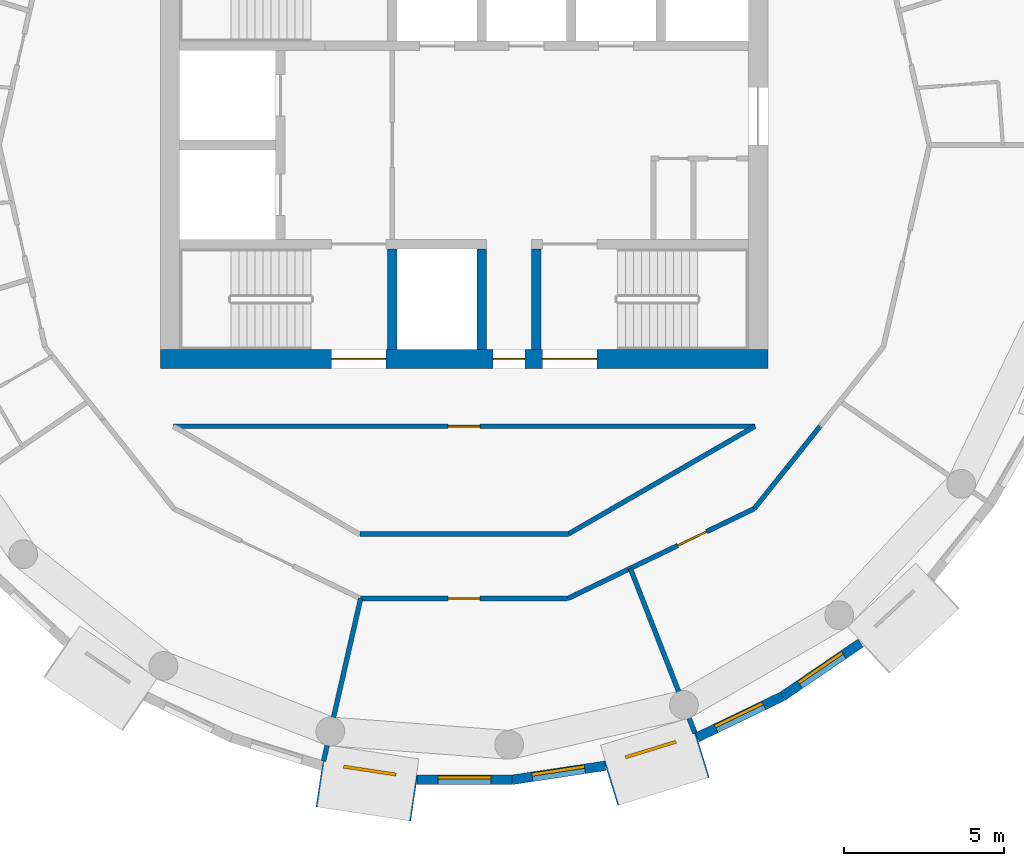
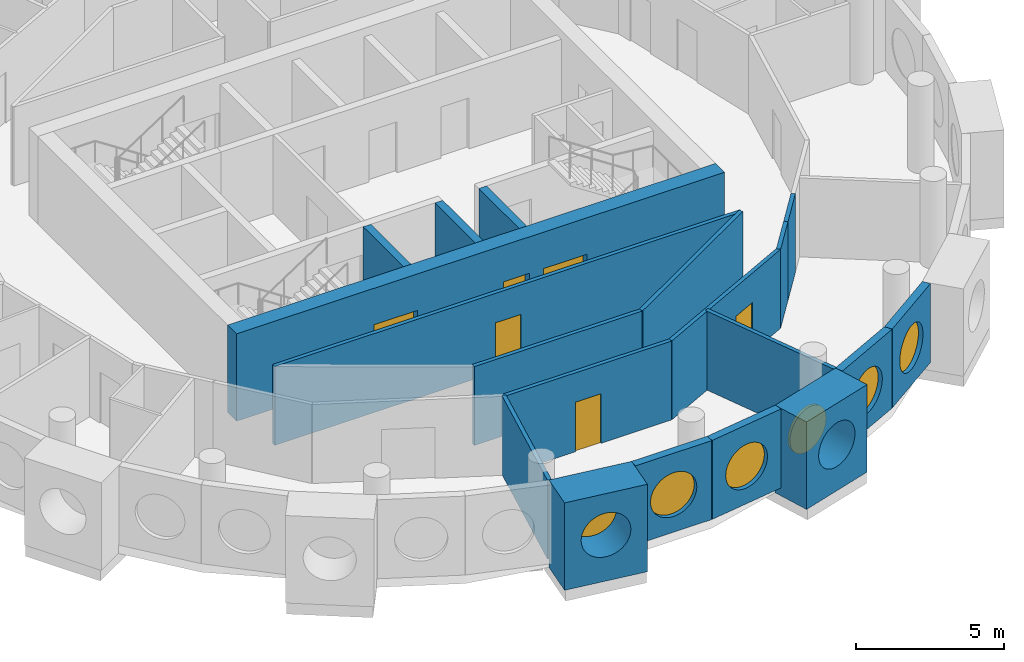
# One storey, part 4 of 13: 19 walls, 6 doors, 6 windows, 12 openings.
"""IFC4 building model written with IfcOpenShell, lengths in metres."""

from ifc_helpers import new_model, si_unit, direction, frame, frame_2d, origin, origin_2d, place, context, subcontext, project, spatial, rectangle, circle, extrude, material, layer, layer_set, type_object, element, fill, save


model = new_model("IFC4")

# Units and contexts
model_context = context("Model", 3, precision=1e-05, world=origin(), true_north=direction((0.0, 1.0)))
body_context = subcontext(model_context, "Body", "Model", "MODEL_VIEW")
ifc_project = project(units=[si_unit("LENGTHUNIT", "METRE"), si_unit("AREAUNIT", "SQUARE_METRE"), si_unit("VOLUMEUNIT", "CUBIC_METRE"), si_unit("PLANEANGLEUNIT", "RADIAN"), si_unit("MASSUNIT", "GRAM", prefix="KILO")], contexts=[model_context])

# Site, building, storey
site_placement = place(None, origin())
site = spatial("IfcSite", under=ifc_project, at=site_placement, CompositionType="ELEMENT")
building_placement = place(site_placement, origin())
building = spatial("IfcBuilding", under=site, at=building_placement, Name="Tracery Tower", CompositionType="ELEMENT")
storey_placement = place(building_placement, frame((0.0, 0.0, 309.0)))
storey = spatial("IfcBuildingStorey", under=building, at=storey_placement, Name="L80", CompositionType="ELEMENT", Elevation=309.0)

# Wall, openings, doors
ifc_material_1 = material(Name="Concrete C40/50", Category="concrete")
ifc_layer_1 = layer(ifc_material_1, 0.60009765625)
ifc_layer_set_1 = layer_set([ifc_layer_1], Name="Core wall 600 C40")
wall_type_1 = type_object("IfcWallType", Name="Core wall 600 C40", PredefinedType="SOLIDWALL", material=ifc_layer_set_1)
wall_1_placement = place(storey_placement, frame((-9.5, -6.699951171875, 0.0), z_axis=(0.0, 0.0, 1.0), x_axis=(1.0, 0.0, 0.0)))
wall_1 = element("IfcWall", 1, at=wall_1_placement, inside=storey, type_object=wall_type_1, Name="L80 outer S", PredefinedType="SOLIDWALL", context=body_context, shape_type="SweptSolid", body=[
    extrude(rectangle(XDim=19.0, YDim=0.60009765625, at=frame_2d((9.5, 0.0))), origin(), (0.0, 0.0, 1.0), 3.60009765625),
])
opening_1_placement = place(wall_1_placement, frame((10.39990234375, 0.0, 0.0)))
opening_1 = element("IfcOpeningElement", 2, at=opening_1_placement, cuts=wall_1, Name="Opening KD16", PredefinedType="OPENING", context=body_context, shape_type="SweptSolid", body=[
    extrude(rectangle(XDim=1.0, YDim=2.10009765625, at=frame_2d((0.5, 1.050048828125))), frame((0.0, 0.300048828125, 0.0), z_axis=(0.0, -1.0, 0.0), x_axis=(1.0, 0.0, 0.0)), (0.0, 0.0, 1.0), 0.60009765625),
])
opening_2_placement = place(wall_1_placement, frame((5.35009765625, 0.0, 0.0)))
opening_2 = element("IfcOpeningElement", 3, at=opening_2_placement, cuts=wall_1, Name="Opening KD3", PredefinedType="OPENING", context=body_context, shape_type="SweptSolid", body=[
    extrude(rectangle(XDim=1.699951171875, YDim=2.10009765625, at=frame_2d((0.85009765625, 1.050048828125))), frame((0.0, 0.300048828125, 0.0), z_axis=(0.0, -1.0, 0.0), x_axis=(1.0, 0.0, 0.0)), (0.0, 0.0, 1.0), 0.60009765625),
])
opening_3_placement = place(wall_1_placement, frame((11.949951171875, 0.0, 0.0)))
opening_3 = element("IfcOpeningElement", 4, at=opening_3_placement, cuts=wall_1, Name="Opening KD3", PredefinedType="OPENING", context=body_context, shape_type="SweptSolid", body=[
    extrude(rectangle(XDim=1.699951171875, YDim=2.10009765625, at=frame_2d((0.85009765625, 1.050048828125))), frame((0.0, 0.300048828125, 0.0), z_axis=(0.0, -1.0, 0.0), x_axis=(1.0, 0.0, 0.0)), (0.0, 0.0, 1.0), 0.60009765625),
])
ifc_material_2 = material(Name="Steel fire door", Category="steel")
door_type_1 = type_object("IfcDoorType", Name="Core exit door 1000", OperationType="NOTDEFINED", PredefinedType="DOOR", material=ifc_material_2)
door_1_placement = place(opening_1_placement, origin())
door_1 = element("IfcDoor", 5, at=door_1_placement, inside=storey, type_object=door_type_1, Name="Core exit door", OperationType="SINGLE_SWING_LEFT", OverallHeight=2.10009765625, OverallWidth=1.0, PredefinedType="DOOR", context=body_context, shape_type="SweptSolid", body=[
    extrude(rectangle(XDim=1.0, YDim=2.10009765625, at=frame_2d((0.5, 1.050048828125))), frame((0.0, 0.02490234375, 0.0), z_axis=(0.0, -1.0, 0.0), x_axis=(1.0, 0.0, 0.0)), (0.0, 0.0, 1.0), 0.050048828125),
])
fill(opening_1, door_1)
ifc_material_3 = material(Name="Steel fire door", Category="steel")
door_type_2 = type_object("IfcDoorType", Name="Core stair door 1700 double", OperationType="NOTDEFINED", PredefinedType="DOOR", material=ifc_material_3)
door_2_placement = place(opening_2_placement, origin())
door_2 = element("IfcDoor", 6, at=door_2_placement, inside=storey, type_object=door_type_2, Name="Stair door ST1 exit", OperationType="DOUBLE_DOOR_SINGLE_SWING", OverallHeight=2.10009765625, OverallWidth=1.699951171875, PredefinedType="DOOR", context=body_context, shape_type="SweptSolid", body=[
    extrude(rectangle(XDim=1.699951171875, YDim=2.10009765625, at=frame_2d((0.85009765625, 1.050048828125))), frame((0.0, 0.02490234375, 0.0), z_axis=(0.0, -1.0, 0.0), x_axis=(1.0, 0.0, 0.0)), (0.0, 0.0, 1.0), 0.050048828125),
])
fill(opening_2, door_2)
door_3_placement = place(opening_3_placement, origin())
door_3 = element("IfcDoor", 7, at=door_3_placement, inside=storey, type_object=door_type_2, Name="Stair door ST2 exit", OperationType="DOUBLE_DOOR_SINGLE_SWING", OverallHeight=2.10009765625, OverallWidth=1.699951171875, PredefinedType="DOOR", context=body_context, shape_type="SweptSolid", body=[
    extrude(rectangle(XDim=1.699951171875, YDim=2.10009765625, at=frame_2d((0.85009765625, 1.050048828125))), frame((0.0, 0.02490234375, 0.0), z_axis=(0.0, -1.0, 0.0), x_axis=(1.0, 0.0, 0.0)), (0.0, 0.0, 1.0), 0.050048828125),
])
fill(opening_3, door_3)

# Wall, opening, window
ifc_material_4 = material(Name="Precast concrete C50/60", Category="concrete")
ifc_layer_2 = layer(ifc_material_4, 1.449951171875)
ifc_layer_set_2 = layer_set([ifc_layer_2], Name="Deep-set bay unit 3000 x 3600, slab edge 350")
wall_type_2 = type_object("IfcWallType", Name="Deep-set bay unit 3000 x 3600, slab edge 350", PredefinedType="ELEMENTEDWALL", material=ifc_layer_set_2)
wall_2_placement = place(storey_placement, frame((-4.52978515625, -19.9892578125, -0.35009765625), z_axis=(0.0, 0.0, 1.0), x_axis=(0.988836445254, -0.149004981587, 0.0)))
wall_2 = element("IfcWall", 8, at=wall_2_placement, inside=storey, type_object=wall_type_2, Name="Deep-set bay unit 31 at L80", PredefinedType="ELEMENTEDWALL", context=body_context, shape_type="SweptSolid", body=[
    extrude(rectangle(XDim=3.0, YDim=1.449951171875, at=frame_2d((1.5, 0.0))), origin(), (0.0, 0.0, 1.0), 3.60009765625),
])
opening_4_placement = place(wall_2_placement, frame((1.5, 0.0, 1.89990234375)))
opening_4 = element("IfcOpeningElement", 9, at=opening_4_placement, cuts=wall_2, Name="Opening WN1", PredefinedType="OPENING", context=body_context, shape_type="SweptSolid", body=[
    extrude(circle(Radius=0.9000244140625, at=origin_2d()), frame((0.0, 0.73486328125, 0.0), z_axis=(0.0, -1.0, 0.0), x_axis=(1.0, 0.0, 0.0)), (0.0, 0.0, 1.0), 1.469970703125),
])
ifc_material_5 = material(Name="Aluminium frame with tinted double glazing", Category="aluminium")
window_type = type_object("IfcWindowType", Name="Round window 1800", PartitioningType="SINGLE_PANEL", PredefinedType="WINDOW", material=ifc_material_5)
window_1_placement = place(opening_4_placement, origin())
window_1 = element("IfcWindow", 10, at=window_1_placement, inside=storey, type_object=window_type, Name="Round window 31 at L80", OverallHeight=1.800048828125, OverallWidth=1.800048828125, PartitioningType="SINGLE_PANEL", PredefinedType="WINDOW", context=body_context, shape_type="SweptSolid", body=[
    extrude(circle(Radius=0.9000244140625, at=origin_2d()), frame((0.0, 0.69482421875, 0.0), z_axis=(0.0, -1.0, 0.0), x_axis=(1.0, 0.0, 0.0)), (0.0, 0.0, 1.0), 0.10009765625),
])
fill(opening_4, window_1)

wall_3_placement = place(storey_placement, frame((4.591796875, -19.97509765625, -0.35009765625), z_axis=(0.0, 0.0, 1.0), x_axis=(0.955571139978, 0.294760574774, 0.0)))
wall_3 = element("IfcWall", 11, at=wall_3_placement, inside=storey, type_object=wall_type_2, Name="Deep-set bay unit 34 at L80", PredefinedType="ELEMENTEDWALL", context=body_context, shape_type="SweptSolid", body=[
    extrude(rectangle(XDim=3.0, YDim=1.449951171875, at=frame_2d((1.5, 0.0))), origin(), (0.0, 0.0, 1.0), 3.60009765625),
])
opening_5_placement = place(wall_3_placement, frame((1.5, 0.0, 1.89990234375)))
opening_5 = element("IfcOpeningElement", 12, at=opening_5_placement, cuts=wall_3, Name="Opening WN1", PredefinedType="OPENING", context=body_context, shape_type="SweptSolid", body=[
    extrude(circle(Radius=0.9000244140625, at=origin_2d()), frame((0.0, 0.73486328125, 0.0), z_axis=(0.0, -1.0, 0.0), x_axis=(1.0, 0.0, 0.0)), (0.0, 0.0, 1.0), 1.469970703125),
])
window_2_placement = place(opening_5_placement, origin())
window_2 = element("IfcWindow", 13, at=window_2_placement, inside=storey, type_object=window_type, Name="Round window 34 at L80", OverallHeight=1.800048828125, OverallWidth=1.800048828125, PartitioningType="SINGLE_PANEL", PredefinedType="WINDOW", context=body_context, shape_type="SweptSolid", body=[
    extrude(circle(Radius=0.9000244140625, at=origin_2d()), frame((0.0, 0.69482421875, 0.0), z_axis=(0.0, -1.0, 0.0), x_axis=(1.0, 0.0, 0.0)), (0.0, 0.0, 1.0), 0.10009765625),
])
fill(opening_5, window_2)

ifc_material_6 = material(Name="Precast concrete C50/60", Category="concrete")
ifc_layer_3 = layer(ifc_material_6, 0.300048828125)
ifc_layer_set_3 = layer_set([ifc_layer_3], Name="Facade panel 3000 x 3250")
wall_type_3 = type_object("IfcWallType", Name="Facade panel 3000 x 3250", PredefinedType="SOLIDWALL", material=ifc_layer_set_3)
wall_4_placement = place(storey_placement, frame((-1.473388671875, -19.865966796875, 0.0), z_axis=(0.0, 0.0, 1.0), x_axis=(1.0, 0.0, 0.0)))
wall_4 = element("IfcWall", 14, at=wall_4_placement, inside=storey, type_object=wall_type_3, Name="Facade panel 32 at L80", PredefinedType="SOLIDWALL", context=body_context, shape_type="SweptSolid", body=[
    extrude(rectangle(XDim=2.962158203125, YDim=0.300048828125, at=frame_2d((1.48095703125, 0.0))), origin(), (0.0, 0.0, 1.0), 3.25),
])
opening_6_placement = place(wall_4_placement, frame((1.48095703125, 0.0, 1.5498046875)))
opening_6 = element("IfcOpeningElement", 15, at=opening_6_placement, cuts=wall_4, Name="Opening WN1", PredefinedType="OPENING", context=body_context, shape_type="SweptSolid", body=[
    extrude(circle(Radius=0.9000244140625, at=origin_2d()), frame((0.0, 0.159912109375, 0.0), z_axis=(0.0, -1.0, 0.0), x_axis=(1.0, 0.0, 0.0)), (0.0, 0.0, 1.0), 0.320068359375),
])
window_3_placement = place(opening_6_placement, origin())
window_3 = element("IfcWindow", 16, at=window_3_placement, inside=storey, type_object=window_type, Name="Round window 32 at L80", OverallHeight=1.800048828125, OverallWidth=1.800048828125, PartitioningType="SINGLE_PANEL", PredefinedType="WINDOW", context=body_context, shape_type="SweptSolid", body=[
    extrude(circle(Radius=0.9000244140625, at=origin_2d()), frame((0.0, 0.1201171875, 0.0), z_axis=(0.0, -1.0, 0.0), x_axis=(1.0, 0.0, 0.0)), (0.0, 0.0, 1.0), 0.10009765625),
])
fill(opening_6, window_3)

wall_5_placement = place(storey_placement, frame((1.48876953125, -19.865966796875, 0.0), z_axis=(0.0, 0.0, 1.0), x_axis=(0.988835775663, 0.149009425104, 0.0)))
wall_5 = element("IfcWall", 17, at=wall_5_placement, inside=storey, type_object=wall_type_3, Name="Facade panel 33 at L80", PredefinedType="SOLIDWALL", context=body_context, shape_type="SweptSolid", body=[
    extrude(rectangle(XDim=2.962158203125, YDim=0.300048828125, at=frame_2d((1.48095703125, 0.0))), origin(), (0.0, 0.0, 1.0), 3.25),
])
opening_7_placement = place(wall_5_placement, frame((1.48095703125, 0.0, 1.5498046875)))
opening_7 = element("IfcOpeningElement", 18, at=opening_7_placement, cuts=wall_5, Name="Opening WN1", PredefinedType="OPENING", context=body_context, shape_type="SweptSolid", body=[
    extrude(circle(Radius=0.9000244140625, at=origin_2d()), frame((0.0, 0.159912109375, 0.0), z_axis=(0.0, -1.0, 0.0), x_axis=(1.0, 0.0, 0.0)), (0.0, 0.0, 1.0), 0.320068359375),
])
window_4_placement = place(opening_7_placement, origin())
window_4 = element("IfcWindow", 19, at=window_4_placement, inside=storey, type_object=window_type, Name="Round window 33 at L80", OverallHeight=1.800048828125, OverallWidth=1.800048828125, PartitioningType="SINGLE_PANEL", PredefinedType="WINDOW", context=body_context, shape_type="SweptSolid", body=[
    extrude(circle(Radius=0.9000244140625, at=origin_2d()), frame((0.0, 0.1201171875, 0.0), z_axis=(0.0, -1.0, 0.0), x_axis=(1.0, 0.0, 0.0)), (0.0, 0.0, 1.0), 0.10009765625),
])
fill(opening_7, window_4)

wall_6_placement = place(storey_placement, frame((7.2919921875, -18.5380859375, 0.0), z_axis=(0.0, 0.0, 1.0), x_axis=(0.90095513435, 0.433912255978, 0.0)))
wall_6 = element("IfcWall", 20, at=wall_6_placement, inside=storey, type_object=wall_type_3, Name="Facade panel 35 at L80", PredefinedType="SOLIDWALL", context=body_context, shape_type="SweptSolid", body=[
    extrude(rectangle(XDim=2.96240234375, YDim=0.300048828125, at=frame_2d((1.481201171875, 0.0))), origin(), (0.0, 0.0, 1.0), 3.25),
])
opening_8_placement = place(wall_6_placement, frame((1.48095703125, 0.0, 1.5498046875)))
opening_8 = element("IfcOpeningElement", 21, at=opening_8_placement, cuts=wall_6, Name="Opening WN1", PredefinedType="OPENING", context=body_context, shape_type="SweptSolid", body=[
    extrude(circle(Radius=0.9000244140625, at=origin_2d()), frame((0.0, 0.159912109375, 0.0), z_axis=(0.0, -1.0, 0.0), x_axis=(1.0, 0.0, 0.0)), (0.0, 0.0, 1.0), 0.320068359375),
])
window_5_placement = place(opening_8_placement, origin())
window_5 = element("IfcWindow", 22, at=window_5_placement, inside=storey, type_object=window_type, Name="Round window 35 at L80", OverallHeight=1.800048828125, OverallWidth=1.800048828125, PartitioningType="SINGLE_PANEL", PredefinedType="WINDOW", context=body_context, shape_type="SweptSolid", body=[
    extrude(circle(Radius=0.9000244140625, at=origin_2d()), frame((0.0, 0.1201171875, 0.0), z_axis=(0.0, -1.0, 0.0), x_axis=(1.0, 0.0, 0.0)), (0.0, 0.0, 1.0), 0.10009765625),
])
fill(opening_8, window_5)

wall_7_placement = place(storey_placement, frame((9.9609375, -17.252685546875, 0.0), z_axis=(0.0, 0.0, 1.0), x_axis=(0.826236061068, 0.563324037646, 0.0)))
wall_7 = element("IfcWall", 23, at=wall_7_placement, inside=storey, type_object=wall_type_3, Name="Facade panel 36 at L80", PredefinedType="SOLIDWALL", context=body_context, shape_type="SweptSolid", body=[
    extrude(rectangle(XDim=2.962158203125, YDim=0.300048828125, at=frame_2d((1.48095703125, 0.0))), origin(), (0.0, 0.0, 1.0), 3.25),
])
opening_9_placement = place(wall_7_placement, frame((1.48095703125, 0.0, 1.5498046875)))
opening_9 = element("IfcOpeningElement", 24, at=opening_9_placement, cuts=wall_7, Name="Opening WN1", PredefinedType="OPENING", context=body_context, shape_type="SweptSolid", body=[
    extrude(circle(Radius=0.9000244140625, at=origin_2d()), frame((0.0, 0.159912109375, 0.0), z_axis=(0.0, -1.0, 0.0), x_axis=(1.0, 0.0, 0.0)), (0.0, 0.0, 1.0), 0.320068359375),
])
window_6_placement = place(opening_9_placement, origin())
window_6 = element("IfcWindow", 25, at=window_6_placement, inside=storey, type_object=window_type, Name="Round window 36 at L80", OverallHeight=1.800048828125, OverallWidth=1.800048828125, PartitioningType="SINGLE_PANEL", PredefinedType="WINDOW", context=body_context, shape_type="SweptSolid", body=[
    extrude(circle(Radius=0.9000244140625, at=origin_2d()), frame((0.0, 0.1201171875, 0.0), z_axis=(0.0, -1.0, 0.0), x_axis=(1.0, 0.0, 0.0)), (0.0, 0.0, 1.0), 0.10009765625),
])
fill(opening_9, window_6)

# Walls
ifc_material_7 = material(Name="Plasterboard on steel studs", Category="steel")
ifc_layer_4 = layer(ifc_material_7, 0.14990234375)
ifc_layer_set_4 = layer_set([ifc_layer_4], Name="Partition 150 acoustic unit wall")
wall_type_4 = type_object("IfcWallType", Name="Partition 150 acoustic unit wall", PredefinedType="PARTITIONING", material=ifc_layer_set_4)
wall_8_placement = place(storey_placement, frame((-4.39990234375, -19.27587890625, 0.0), z_axis=(0.0, 0.0, 1.0), x_axis=(0.222612505682, 0.974907007008, 0.0)))
element("IfcWall", 26, at=wall_8_placement, inside=storey, type_object=wall_type_4, Name="Unit wall RC8-085", PredefinedType="PARTITIONING", context=body_context, shape_type="SweptSolid", body=[
    extrude(rectangle(XDim=5.21484375, YDim=0.14990234375, at=frame_2d((2.607421875, 0.0))), origin(), (0.0, 0.0, 1.0), 3.25),
])
wall_9_placement = place(storey_placement, frame((5.198974609375, -13.248046875, 0.0), z_axis=(0.0, 0.0, 1.0), x_axis=(0.365334662456, -0.930876245485, 0.0)))
element("IfcWall", 27, at=wall_9_placement, inside=storey, type_object=wall_type_4, Name="Unit wall RC8-086", PredefinedType="PARTITIONING", context=body_context, shape_type="SweptSolid", body=[
    extrude(rectangle(XDim=5.5400390625, YDim=0.14990234375, at=frame_2d((2.77001953125, 0.0))), origin(), (0.0, 0.0, 1.0), 3.25),
])

# Wall, opening, door
ifc_material_8 = material(Name="Plasterboard on steel studs", Category="steel")
ifc_layer_5 = layer(ifc_material_8, 0.14990234375)
ifc_layer_set_5 = layer_set([ifc_layer_5], Name="Partition 150 corridor wall")
wall_type_5 = type_object("IfcWallType", Name="Partition 150 corridor wall", PredefinedType="PARTITIONING", material=ifc_layer_set_5)
wall_10_placement = place(storey_placement, frame((-9.092041015625, -8.800048828125, 0.0), z_axis=(0.0, 0.0, 1.0), x_axis=(1.0, 0.0, 0.0)))
wall_10 = element("IfcWall", 28, at=wall_10_placement, inside=storey, type_object=wall_type_5, Name="Corridor wall RC8-012", PredefinedType="PARTITIONING", context=body_context, shape_type="SweptSolid", body=[
    extrude(rectangle(XDim=18.192626953125, YDim=0.14990234375, at=frame_2d((9.09619140625, 0.0))), origin(), (0.0, 0.0, 1.0), 3.25),
])
opening_10_placement = place(wall_10_placement, frame((8.592041015625, 0.0, 0.0)))
opening_10 = element("IfcOpeningElement", 29, at=opening_10_placement, cuts=wall_10, Name="Opening RC8-03", PredefinedType="OPENING", context=body_context, shape_type="SweptSolid", body=[
    extrude(rectangle(XDim=1.0, YDim=2.0400390625, at=frame_2d((0.5, 1.02001953125))), frame((0.0, 0.074951171875, 0.0), z_axis=(0.0, -1.0, 0.0), x_axis=(1.0, 0.0, 0.0)), (0.0, 0.0, 1.0), 0.14990234375),
])
ifc_material_9 = material(Name="Timber door leaf", Category="wood")
door_type_3 = type_object("IfcDoorType", Name="Door communal room 1000", OperationType="NOTDEFINED", PredefinedType="DOOR", material=ifc_material_9)
door_4_placement = place(opening_10_placement, origin())
door_4 = element("IfcDoor", 30, at=door_4_placement, inside=storey, type_object=door_type_3, Name="Communal room door RC8-03", OperationType="SINGLE_SWING_RIGHT", OverallHeight=2.0400390625, OverallWidth=1.0, PredefinedType="DOOR", context=body_context, shape_type="SweptSolid", body=[
    extrude(rectangle(XDim=1.0, YDim=2.0400390625, at=frame_2d((0.5, 1.02001953125))), frame((0.0, 0.02490234375, 0.0), z_axis=(0.0, -1.0, 0.0), x_axis=(1.0, 0.0, 0.0)), (0.0, 0.0, 1.0), 0.050048828125),
])
fill(opening_10, door_4)

# Walls
wall_11_placement = place(storey_placement, frame((10.10107421875, -10.10107421875, 0.0), z_axis=(0.0, 0.0, 1.0), x_axis=(0.623098344652, 0.782143498913, 0.0)))
element("IfcWall", 31, at=wall_11_placement, inside=storey, type_object=wall_type_5, Name="Corridor wall RC8-019", PredefinedType="PARTITIONING", context=body_context, shape_type="SweptSolid", body=[
    extrude(rectangle(XDim=1.660888671875, YDim=0.14990234375, at=frame_2d((0.83056640625, 0.0))), origin(), (0.0, 0.0, 1.0), 3.25),
])
wall_12_placement = place(storey_placement, frame((-3.260986328125, -12.1708984375, 0.0), z_axis=(0.0, 0.0, 1.0), x_axis=(1.0, 0.0, 0.0)))
element("IfcWall", 32, at=wall_12_placement, inside=storey, type_object=wall_type_5, Name="Corridor wall RC8-037", PredefinedType="PARTITIONING", context=body_context, shape_type="SweptSolid", body=[
    extrude(rectangle(XDim=6.52197265625, YDim=0.14990234375, at=frame_2d((3.260986328125, 0.0))), origin(), (0.0, 0.0, 1.0), 3.25),
])
wall_13_placement = place(storey_placement, frame((3.260986328125, -12.1708984375, 0.0), z_axis=(0.0, 0.0, 1.0), x_axis=(0.866066809554, 0.499928276245, 0.0)))
element("IfcWall", 33, at=wall_13_placement, inside=storey, type_object=wall_type_5, Name="Corridor wall RC8-038", PredefinedType="PARTITIONING", context=body_context, shape_type="SweptSolid", body=[
    extrude(rectangle(XDim=6.74267578125, YDim=0.14990234375, at=frame_2d((3.371337890625, 0.0))), origin(), (0.0, 0.0, 1.0), 3.25),
])

# Wall, opening, door
wall_14_placement = place(storey_placement, frame((3.239013671875, -14.19189453125, 0.0), z_axis=(0.0, 0.0, 1.0), x_axis=(0.900851590682, 0.434127183629, 0.0)))
wall_14 = element("IfcWall", 34, at=wall_14_placement, inside=storey, type_object=wall_type_5, Name="Corridor wall RC8-040", PredefinedType="PARTITIONING", context=body_context, shape_type="SweptSolid", body=[
    extrude(rectangle(XDim=6.478515625, YDim=0.14990234375, at=frame_2d((3.2392578125, 0.0))), origin(), (0.0, 0.0, 1.0), 3.25),
])
opening_11_placement = place(wall_14_placement, frame((3.82470703125, 0.0, 0.0)))
opening_11 = element("IfcOpeningElement", 35, at=opening_11_placement, cuts=wall_14, Name="Opening RC8-31", PredefinedType="OPENING", context=body_context, shape_type="SweptSolid", body=[
    extrude(rectangle(XDim=1.0, YDim=2.0400390625, at=frame_2d((0.5, 1.02001953125))), frame((0.0, 0.074951171875, 0.0), z_axis=(0.0, -1.0, 0.0), x_axis=(1.0, 0.0, 0.0)), (0.0, 0.0, 1.0), 0.14990234375),
])
door_5_placement = place(opening_11_placement, origin())
door_5 = element("IfcDoor", 36, at=door_5_placement, inside=storey, type_object=door_type_3, Name="Communal room door RC8-31", OperationType="SINGLE_SWING_RIGHT", OverallHeight=2.0400390625, OverallWidth=1.0, PredefinedType="DOOR", context=body_context, shape_type="SweptSolid", body=[
    extrude(rectangle(XDim=1.0, YDim=2.0400390625, at=frame_2d((0.5, 1.02001953125))), frame((0.0, 0.02490234375, 0.0), z_axis=(0.0, -1.0, 0.0), x_axis=(1.0, 0.0, 0.0)), (0.0, 0.0, 1.0), 0.050048828125),
])
fill(opening_11, door_5)

wall_15_placement = place(storey_placement, frame((-3.239013671875, -14.19189453125, 0.0), z_axis=(0.0, 0.0, 1.0), x_axis=(1.0, 0.0, 0.0)))
wall_15 = element("IfcWall", 37, at=wall_15_placement, inside=storey, type_object=wall_type_5, Name="Corridor wall RC8-041", PredefinedType="PARTITIONING", context=body_context, shape_type="SweptSolid", body=[
    extrude(rectangle(XDim=6.47802734375, YDim=0.14990234375, at=frame_2d((3.239013671875, 0.0))), origin(), (0.0, 0.0, 1.0), 3.25),
])
opening_12_placement = place(wall_15_placement, frame((2.739013671875, 0.0, 0.0)))
opening_12 = element("IfcOpeningElement", 38, at=opening_12_placement, cuts=wall_15, Name="Opening RC8-30", PredefinedType="OPENING", context=body_context, shape_type="SweptSolid", body=[
    extrude(rectangle(XDim=1.0, YDim=2.0400390625, at=frame_2d((0.5, 1.02001953125))), frame((0.0, 0.074951171875, 0.0), z_axis=(0.0, -1.0, 0.0), x_axis=(1.0, 0.0, 0.0)), (0.0, 0.0, 1.0), 0.14990234375),
])
door_6_placement = place(opening_12_placement, origin())
door_6 = element("IfcDoor", 39, at=door_6_placement, inside=storey, type_object=door_type_3, Name="Communal room door RC8-30", OperationType="SINGLE_SWING_RIGHT", OverallHeight=2.0400390625, OverallWidth=1.0, PredefinedType="DOOR", context=body_context, shape_type="SweptSolid", body=[
    extrude(rectangle(XDim=1.0, YDim=2.0400390625, at=frame_2d((0.5, 1.02001953125))), frame((0.0, 0.02490234375, 0.0), z_axis=(0.0, -1.0, 0.0), x_axis=(1.0, 0.0, 0.0)), (0.0, 0.0, 1.0), 0.050048828125),
])
fill(opening_12, door_6)

# Walls
wall_16_placement = place(storey_placement, frame((9.075927734375, -11.381103515625, 0.0), z_axis=(0.0, 0.0, 1.0), x_axis=(0.623805208652, 0.781579849829, 0.0)))
element("IfcWall", 40, at=wall_16_placement, inside=storey, type_object=wall_type_5, Name="Corridor wall RC8-042", PredefinedType="PARTITIONING", context=body_context, shape_type="SweptSolid", body=[
    extrude(rectangle(XDim=1.64013671875, YDim=0.14990234375, at=frame_2d((0.820068359375, 0.0))), origin(), (0.0, 0.0, 1.0), 3.25),
])
ifc_material_10 = material(Name="Concrete C40/50", Category="concrete")
ifc_layer_6 = layer(ifc_material_10, 0.300048828125)
ifc_layer_set_6 = layer_set([ifc_layer_6], Name="Shaft wall 300 C40")
wall_type_6 = type_object("IfcWallType", Name="Shaft wall 300 C40", PredefinedType="SOLIDWALL", material=ifc_layer_set_6)
wall_17_placement = place(storey_placement, frame((0.550048828125, -6.39990234375, 0.0), z_axis=(0.0, 0.0, 1.0), x_axis=(0.0, 1.0, 0.0)))
element("IfcWall", 41, at=wall_17_placement, inside=storey, type_object=wall_type_6, Name="L80 OB2 E", PredefinedType="SOLIDWALL", context=body_context, shape_type="SweptSolid", body=[
    extrude(rectangle(XDim=3.14990234375, YDim=0.300048828125, at=frame_2d((1.574951171875, 0.0))), origin(), (0.0, 0.0, 1.0), 3.25),
])
ifc_material_11 = material(Name="Concrete C40/50", Category="concrete")
ifc_layer_7 = layer(ifc_material_11, 0.300048828125)
ifc_layer_set_7 = layer_set([ifc_layer_7], Name="Stair wall 300 C40")
wall_type_7 = type_object("IfcWallType", Name="Stair wall 300 C40", PredefinedType="SOLIDWALL", material=ifc_layer_set_7)
for number, where, z_axis, x_axis, name in (
    (42, (-2.25, -6.39990234375, 0.0), (0.0, 0.0, 1.0), (0.0, 1.0, 0.0), "L80 ST1 E"),
    (43, (2.25, -6.39990234375, 0.0), (0.0, 0.0, 1.0), (0.0, 1.0, 0.0), "L80 ST2 W"),
):
    element("IfcWall", number, at=place(storey_placement, frame(where, z_axis=z_axis, x_axis=x_axis)), inside=storey, type_object=wall_type_7, Name=name, PredefinedType="SOLIDWALL", context=body_context, shape_type="SweptSolid", body=[
        extrude(rectangle(XDim=3.14990234375, YDim=0.300048828125, at=frame_2d((1.574951171875, 0.0))), origin(), (0.0, 0.0, 1.0), 3.25),
    ])

save(model, "model.ifc")
